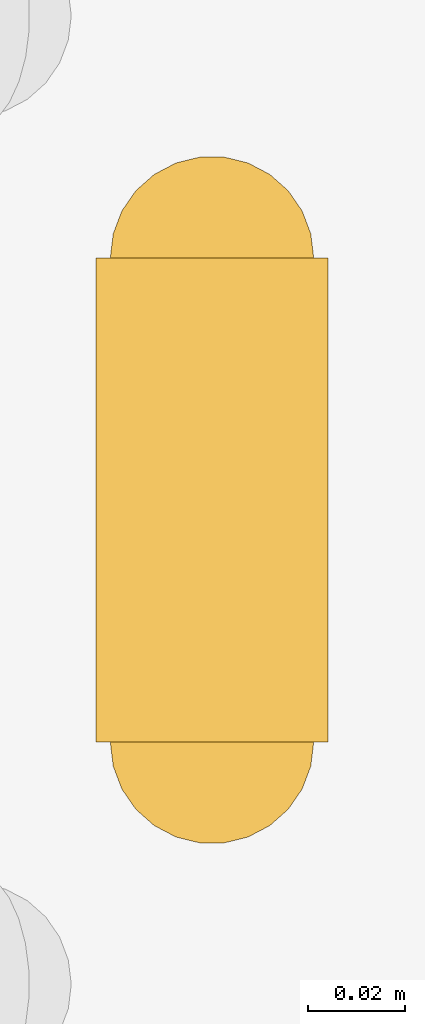
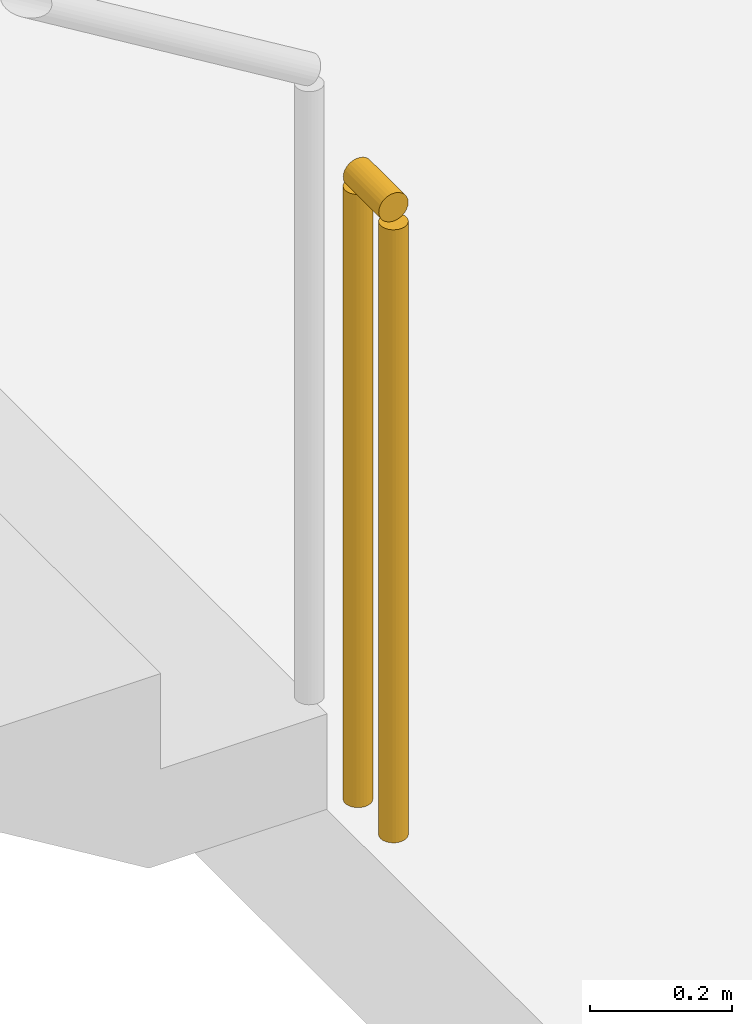
# One storey, part 15 of 16: 1 railing.
"""IFC4 building model written with IfcOpenShell, lengths in metres."""

from ifc_helpers import new_model, si_unit, direction, frame, origin, origin_2d, place, context, subcontext, project, spatial, circle, extrude, material, type_object, element, save


model = new_model("IFC4")

# Units and contexts
model_context = context("Model", 3, precision=1e-05, world=origin(), true_north=direction((0.0, 1.0)))
body_context = subcontext(model_context, "Body", "Model", "MODEL_VIEW")
ifc_project = project(units=[si_unit("LENGTHUNIT", "METRE"), si_unit("AREAUNIT", "SQUARE_METRE"), si_unit("VOLUMEUNIT", "CUBIC_METRE"), si_unit("PLANEANGLEUNIT", "RADIAN"), si_unit("MASSUNIT", "GRAM", prefix="KILO")], contexts=[model_context])

# Site, building, storey
site_placement = place(None, origin())
site = spatial("IfcSite", under=ifc_project, at=site_placement, CompositionType="ELEMENT")
building_placement = place(site_placement, origin())
building = spatial("IfcBuilding", under=site, at=building_placement, Name="Vermilion Reach Broadcast Tower", CompositionType="ELEMENT")
storey_placement = place(building_placement, frame((0.0, 0.0, 95.800048828125)))
storey = spatial("IfcBuildingStorey", under=building, at=storey_placement, Name="L21", CompositionType="ELEMENT", Elevation=95.800048828125)

# Railing
ifc_material = material(Name="Stainless steel", Category="steel")
railing_type = type_object("IfcRailingType", Name="Stair guard 1100", PredefinedType="GUARDRAIL", material=ifc_material)
railing_placement = place(storey_placement, frame((-0.949951171875, 5.639892578125, 0.0)))
element("IfcRailing", 1, at=railing_placement, inside=storey, type_object=railing_type, Name="L21 ST2 stair guard 4", PredefinedType="GUARDRAIL", context=body_context, shape_type="SweptSolid", body=[
    extrude(circle(Radius=0.02392578125, at=origin_2d()), frame((0.0, 0.0, 1.076171875), z_axis=(0.0, -1.0, 0.0), x_axis=(1.0, 0.0, 0.0)), (0.0, 0.0, 1.0), 0.099853515625),
    extrude(circle(Radius=0.02099609375, at=origin_2d()), origin(), (0.0, 0.0, 1.0), 1.052001953125),
    extrude(circle(Radius=0.02099609375, at=origin_2d()), frame((0.0, -0.099853515625, 0.0)), (0.0, 0.0, 1.0), 1.052001953125),
])

save(model, "model.ifc")
